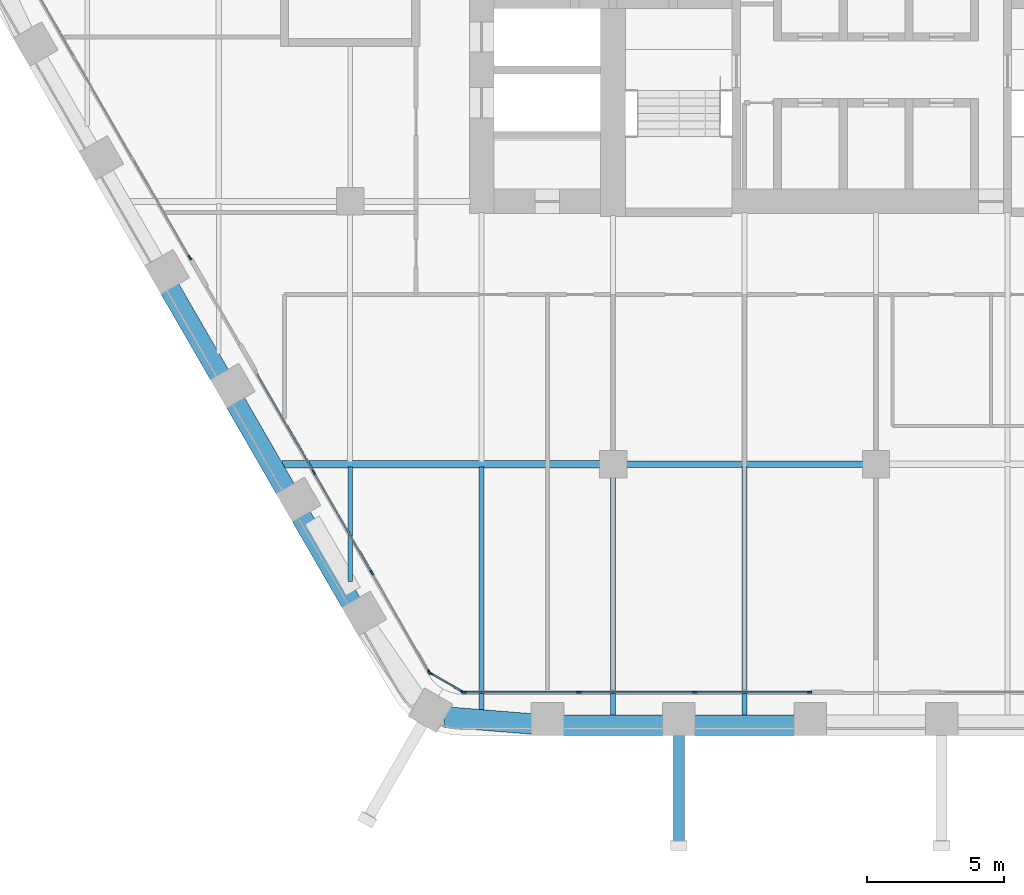
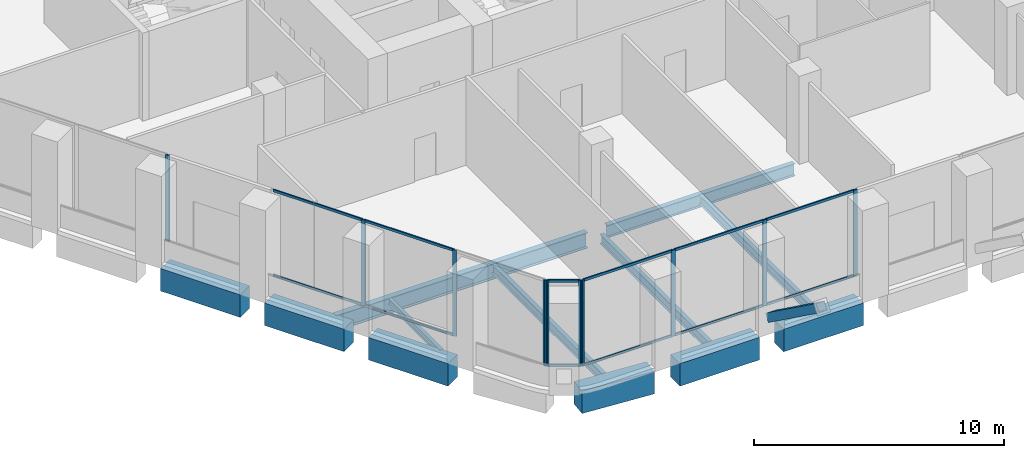
# One storey, part 2 of 24: 23 members, 12 beams, 4 elements without a shape of their own.
"""IFC4 building model written with IfcOpenShell, lengths in metres."""

import ifcopenshell
import ifcopenshell.guid

model = None  # the IFC model being written
_history = None  # IfcOwnerHistory: only IFC2X3 demands one
_inside = {}  # id of a spatial element -> (the spatial element, [elements in it])
_under = {}  # id of a project, library or spatial element -> (it, [spatial elements below it])
_declared = {}  # id of a project -> (the project, [libraries it declares])
_typed = {}  # id of a type object -> (the type object, [elements of that type])
_made_of = {}  # id of a material, layer set ... -> (it, [elements and type objects made of it])


def new_model(schema):
    """Start an empty IFC model of exactly this schema.

    Asked for "IFC4X3", IfcOpenShell would pick the latest addendum, in which some entities
    have other attributes; the version numbers below select the first issue.
    IFC2X3 requires an IfcOwnerHistory on every rooted entity: one is made here for all.
    """
    global model, _history
    if schema == "IFC4X3":
        model = ifcopenshell.file(schema_version=(4, 3, 0, 0))
    else:
        model = ifcopenshell.file(schema=schema)
    _inside.clear()
    _under.clear()
    _declared.clear()
    _typed.clear()
    _made_of.clear()
    _history = None
    if model.schema == "IFC2X3":
        org = make("IfcOrganization", Name="unknown")
        user = make(
            "IfcPersonAndOrganization",
            ThePerson=make("IfcPerson", FamilyName="unknown"),
            TheOrganization=org,
        )
        app = make(
            "IfcApplication",
            ApplicationDeveloper=org,
            Version="unknown",
            ApplicationFullName="unknown",
            ApplicationIdentifier="unknown",
        )
        _history = make(
            "IfcOwnerHistory",
            OwningUser=user,
            OwningApplication=app,
            ChangeAction="ADDED",
            CreationDate=0,
        )
    return model


def make(cls, **values):
    """One entity of the class cls with the attributes given. An attribute that is None is left unset."""
    return model.create_entity(
        cls, **{name: value for name, value in values.items() if value is not None}
    )


def rooted(cls, **values):
    """An entity with a GlobalId (a new one), such as an element, a storey or a relation."""
    return make(cls, GlobalId=ifcopenshell.guid.new(), OwnerHistory=_history, **values)


def si_unit(unit_type, name, prefix=None):
    """IfcSIUnit, for example si_unit("LENGTHUNIT", "METRE", prefix="MILLI")."""
    return make("IfcSIUnit", UnitType=unit_type, Prefix=prefix, Name=name)


def assignment(units):
    """IfcUnitAssignment: the units of a project."""
    return None if units is None else make("IfcUnitAssignment", Units=units)


def point(xyz):
    """IfcCartesianPoint."""
    return None if xyz is None else make("IfcCartesianPoint", Coordinates=xyz)


def direction(xyz):
    """IfcDirection."""
    return None if xyz is None else make("IfcDirection", DirectionRatios=xyz)


def frame(location, z_axis=None, x_axis=None):
    """IfcAxis2Placement3D, a coordinate frame: its origin and axes. An axis left out is left unset."""
    return make(
        "IfcAxis2Placement3D",
        Location=point(location),
        Axis=direction(z_axis),
        RefDirection=direction(x_axis),
    )


def frame_2d(location, x_axis=None):
    """IfcAxis2Placement2D, a coordinate frame in the plane: its origin and x axis."""
    return make(
        "IfcAxis2Placement2D", Location=point(location), RefDirection=direction(x_axis)
    )


def origin():
    """The frame at (0, 0, 0) with its axes left unset."""
    return frame((0.0, 0.0, 0.0))


def origin_2d():
    """The frame at (0, 0) in the plane with its x axis left unset."""
    return frame_2d((0.0, 0.0))


def place(relative_to, where):
    """IfcLocalPlacement: puts the frame where relative to a parent placement (None: the world)."""
    return make(
        "IfcLocalPlacement", PlacementRelTo=relative_to, RelativePlacement=where
    )


def context(
    kind, dimensions, precision=None, world=None, true_north=None, identifier=None
):
    """IfcGeometricRepresentationContext, for example the 3D "Model" context."""
    return make(
        "IfcGeometricRepresentationContext",
        ContextIdentifier=identifier,
        ContextType=kind,
        CoordinateSpaceDimension=dimensions,
        Precision=precision,
        WorldCoordinateSystem=world,
        TrueNorth=true_north,
    )


def subcontext(parent, identifier, kind, view, scale=None):
    """IfcGeometricRepresentationSubContext, for example "Body" below "Model"."""
    return make(
        "IfcGeometricRepresentationSubContext",
        ContextIdentifier=identifier,
        ContextType=kind,
        ParentContext=parent,
        TargetScale=scale,
        TargetView=view,
    )


def project(units=None, contexts=None):
    """IfcProject with its units and contexts."""
    return rooted(
        "IfcProject",
        Name="project",
        RepresentationContexts=contexts,
        UnitsInContext=assignment(units),
    )


def spatial(cls, under=None, at=None, **own):
    """A site, building, storey or space (cls), placed at a placement, below another one or the project."""
    s = rooted(cls, ObjectPlacement=at, **own)
    if under is not None:
        _under.setdefault(under.id(), (under, []))[1].append(s)
    return s


def profile(cls, at=None, kind="AREA", **sizes):
    """A parametric profile (cls). Its sizes go by their IFC names, for example OverallWidth=200.0."""
    return make(cls, ProfileType=kind, Position=at, **sizes)


def rectangle(**sizes):
    """IfcRectangleProfileDef."""
    return profile("IfcRectangleProfileDef", **sizes)


def hollow_rectangle(**sizes):
    """IfcRectangleHollowProfileDef."""
    return profile("IfcRectangleHollowProfileDef", **sizes)


def i_section(**sizes):
    """IfcIShapeProfileDef."""
    return profile("IfcIShapeProfileDef", **sizes)


def extrude(swept, where, along, depth):
    """IfcExtrudedAreaSolid: the profile swept, set in the frame where, extruded along a direction by depth."""
    return make(
        "IfcExtrudedAreaSolid",
        SweptArea=swept,
        Position=where,
        ExtrudedDirection=direction(along),
        Depth=depth,
    )


def shape(context_of_items, identifier, shape_type, items):
    """IfcShapeRepresentation: the items that make up one representation, for example the "Body"."""
    return make(
        "IfcShapeRepresentation",
        ContextOfItems=context_of_items,
        RepresentationIdentifier=identifier,
        RepresentationType=shape_type,
        Items=items,
    )


def material(Name=None, Category=None):
    """IfcMaterial."""
    return make("IfcMaterial", Name=Name, Category=Category)


def material_profile(
    of_material, cross_section, Name=None, Category=None, Priority=None
):
    """IfcMaterialProfile: a cross section and its material."""
    return make(
        "IfcMaterialProfile",
        Name=Name,
        Material=of_material,
        Profile=cross_section,
        Priority=Priority,
        Category=Category,
    )


def profile_set(profiles, Name=None, composite=None):
    """IfcMaterialProfileSet."""
    return make(
        "IfcMaterialProfileSet",
        Name=Name,
        MaterialProfiles=profiles,
        CompositeProfile=composite,
    )


def made_of(thing, what):
    """Note that an element or type object is made of a material, layer set ...; save() writes the relation."""
    if what is not None:
        _made_of.setdefault(what.id(), (what, []))[1].append(thing)
    return thing


def type_object(cls, material=None, **own):
    """A type object (cls), such as IfcWallType, which elements share."""
    return made_of(rooted(cls, **own), material)


def element(
    cls,
    number,
    at=None,
    inside=None,
    cuts=None,
    type_object=None,
    material=None,
    context=None,
    identifier="Body",
    shape_type=None,
    held_by="IfcProductDefinitionShape",
    body=None,
    shapes=None,
    **own,
):
    """One element of the class cls, such as IfcWall. Its Tag is "e" and its number.

    at: its placement. inside: the storey or other place that contains it. cuts: it is an
    opening in that element (IfcRelVoidsElement). A single representation is given by context,
    identifier, shape_type and body (its items); several are given by shapes. held_by: the class
    of the entity that holds the representations. save() writes the other relations.
    """
    e = rooted(cls, Tag="e%d" % number, ObjectPlacement=at, **own)
    if body is not None:
        shapes = [shape(context, identifier, shape_type, body)]
    if shapes is not None:
        e.Representation = make(held_by, Representations=shapes)
    if inside is not None:
        _inside.setdefault(inside.id(), (inside, []))[1].append(e)
    if cuts is not None:
        rooted(
            "IfcRelVoidsElement", RelatingBuildingElement=cuts, RelatedOpeningElement=e
        )
    if type_object is not None:
        _typed.setdefault(type_object.id(), (type_object, []))[1].append(e)
    return made_of(e, material)


def aggregate(whole, parts):
    """IfcRelAggregates: a whole, such as a stair, and the parts it consists of."""
    return rooted("IfcRelAggregates", RelatingObject=whole, RelatedObjects=parts)


def save(model, path):
    """Write the relations noted so far, then the file.

    IfcRelAggregates (storeys below a building ...), IfcRelContainedInSpatialStructure (elements
    in a storey), IfcRelDefinesByType, IfcRelAssociatesMaterial and IfcRelDeclares: one each for
    every whole, place, type object, material and project.
    """
    for whole, parts in _under.values():
        aggregate(whole, parts)
    for where, things in _inside.values():
        rooted(
            "IfcRelContainedInSpatialStructure",
            RelatedElements=things,
            RelatingStructure=where,
        )
    for kind, things in _typed.values():
        rooted("IfcRelDefinesByType", RelatedObjects=things, RelatingType=kind)
    for what, things in _made_of.values():
        rooted("IfcRelAssociatesMaterial", RelatedObjects=things, RelatingMaterial=what)
    for by, libraries in _declared.values():
        rooted("IfcRelDeclares", RelatingContext=by, RelatedDefinitions=libraries)
    model.write(path)


model = new_model("IFC4")

# Units and contexts
model_context = context("Model", 3, precision=1e-05, world=origin(), true_north=direction((0.0, 1.0)))
body_context = subcontext(model_context, "Body", "Model", "MODEL_VIEW")
ifc_project = project(units=[si_unit("LENGTHUNIT", "METRE"), si_unit("AREAUNIT", "SQUARE_METRE"), si_unit("VOLUMEUNIT", "CUBIC_METRE"), si_unit("PLANEANGLEUNIT", "RADIAN"), si_unit("MASSUNIT", "GRAM", prefix="KILO")], contexts=[model_context])

# Site, building, storey
site_placement = place(None, origin())
site = spatial("IfcSite", under=ifc_project, at=site_placement, CompositionType="ELEMENT")
building_placement = place(site_placement, origin())
building = spatial("IfcBuilding", under=site, at=building_placement, Name="Kolab Exchange Tower", CompositionType="ELEMENT")
storey_placement = place(building_placement, frame((0.0, 0.0, 86.89990234375)))
storey = spatial("IfcBuildingStorey", under=building, at=storey_placement, Name="L16", CompositionType="ELEMENT", Elevation=86.89990234375)

# Beams
ifc_material_1 = material(Name="Steel S355", Category="steel")
ifc_material_profile_1 = material_profile(ifc_material_1, i_section(OverallWidth=0.1650390625, OverallDepth=0.31005859375, WebThickness=0.005859375, FlangeThickness=0.009765625, at=origin_2d()), Name="W310X39")
ifc_profile_set_1 = profile_set([ifc_material_profile_1], Name="Steel S355")
beam_type_1 = type_object("IfcBeamType", Name="FLOOR BEAM W310X39", PredefinedType="BEAM", material=ifc_profile_set_1)
beam_1_placement = place(storey_placement, frame((-19.199951171875, -23.4814453125, -0.35498046875), z_axis=(0.0, 1.0, 0.0), x_axis=(-1.0, 0.0, 0.0)))
element("IfcBeam", 1, at=beam_1_placement, inside=storey, type_object=beam_type_1, Name="beam/L16/fr/006", PredefinedType="BEAM", context=body_context, shape_type="SweptSolid", body=[
    extrude(i_section(OverallWidth=0.1650390625, OverallDepth=0.31005859375, WebThickness=0.005859375, FlangeThickness=0.009765625, at=origin_2d()), origin(), (0.0, 0.0, 1.0), 4.18798828125),
])
ifc_material_profile_2 = material_profile(ifc_material_1, i_section(OverallWidth=0.18994140625, OverallDepth=0.45703125, WebThickness=0.009033203125, FlangeThickness=0.014404296875, at=origin_2d()), Name="W460X74")
ifc_profile_set_2 = profile_set([ifc_material_profile_2], Name="Steel S355")
beam_type_2 = type_object("IfcBeamType", Name="FLOOR BEAM W460X74", PredefinedType="BEAM", material=ifc_profile_set_2)
beam_2_placement = place(storey_placement, frame((-14.39990234375, -28.194580078125, -0.428466796875), z_axis=(0.0, 1.0, 0.0), x_axis=(-1.0, 0.0, 0.0)))
element("IfcBeam", 2, at=beam_2_placement, inside=storey, type_object=beam_type_2, Name="beam/L16/fr/012", PredefinedType="BEAM", context=body_context, shape_type="SweptSolid", body=[
    extrude(i_section(OverallWidth=0.18994140625, OverallDepth=0.45703125, WebThickness=0.009033203125, FlangeThickness=0.014404296875, at=origin_2d()), origin(), (0.0, 0.0, 1.0), 8.901123046875),
])
beam_3_placement = place(storey_placement, frame((-9.60009765625, -28.388427734375, -0.428466796875), z_axis=(0.0, 1.0, 0.0), x_axis=(-1.0, 0.0, 0.0)))
element("IfcBeam", 3, at=beam_3_placement, inside=storey, type_object=beam_type_2, Name="beam/L16/fr/016", PredefinedType="BEAM", context=body_context, shape_type="SweptSolid", body=[
    extrude(i_section(OverallWidth=0.18994140625, OverallDepth=0.45703125, WebThickness=0.009033203125, FlangeThickness=0.014404296875, at=origin_2d()), origin(), (0.0, 0.0, 1.0), 8.728515625),
])
beam_4_placement = place(storey_placement, frame((-4.800048828125, -28.388427734375, -0.428466796875), z_axis=(0.0, 1.0, 0.0), x_axis=(-1.0, 0.0, 0.0)))
element("IfcBeam", 4, at=beam_4_placement, inside=storey, type_object=beam_type_2, Name="beam/L16/fr/020", PredefinedType="BEAM", context=body_context, shape_type="SweptSolid", body=[
    extrude(i_section(OverallWidth=0.18994140625, OverallDepth=0.45703125, WebThickness=0.009033203125, FlangeThickness=0.014404296875, at=origin_2d()), origin(), (0.0, 0.0, 1.0), 9.114501953125),
])
ifc_material_profile_3 = material_profile(ifc_material_1, i_section(OverallWidth=0.22802734375, OverallDepth=0.60791015625, WebThickness=0.01123046875, FlangeThickness=0.017333984375, at=origin_2d()), Name="W610X113")
ifc_profile_set_3 = profile_set([ifc_material_profile_3], Name="Steel S355")
beam_type_3 = type_object("IfcBeamType", Name="FLOOR GIRDER W610X113", PredefinedType="BEAM", material=ifc_profile_set_3)
beam_5_placement = place(storey_placement, frame((-9.139892578125, -19.199951171875, -0.50390625), z_axis=(1.0, 0.0, 0.0), x_axis=(0.0, 1.0, 0.0)))
element("IfcBeam", 5, at=beam_5_placement, inside=storey, type_object=beam_type_3, Name="beam/L16/gd/008", PredefinedType="BEAM", context=body_context, shape_type="SweptSolid", body=[
    extrude(i_section(OverallWidth=0.22802734375, OverallDepth=0.60791015625, WebThickness=0.01123046875, FlangeThickness=0.017333984375, at=origin_2d()), origin(), (0.0, 0.0, 1.0), 8.679931640625),
])
ifc_material_profile_4 = material_profile(ifc_material_1, i_section(OverallWidth=0.26708984375, OverallDepth=0.761962890625, WebThickness=0.014404296875, FlangeThickness=0.021484375, at=origin_2d()), Name="W760X173")
ifc_profile_set_4 = profile_set([ifc_material_profile_4], Name="Steel S355")
beam_type_4 = type_object("IfcBeamType", Name="FLOOR GIRDER W760X173", PredefinedType="BEAM", material=ifc_profile_set_4)
beam_6_placement = place(storey_placement, frame((-21.688720703125, -19.199951171875, -0.580810546875), z_axis=(1.0, 0.0, 0.0), x_axis=(0.0, 1.0, 0.0)))
element("IfcBeam", 6, at=beam_6_placement, inside=storey, type_object=beam_type_4, Name="beam/L16/gd/003", PredefinedType="BEAM", context=body_context, shape_type="SweptSolid", body=[
    extrude(i_section(OverallWidth=0.26708984375, OverallDepth=0.761962890625, WebThickness=0.014404296875, FlangeThickness=0.021484375, at=origin_2d()), origin(), (0.0, 0.0, 1.0), 11.628662109375),
])

# Member
ifc_material_profile_5 = material_profile(ifc_material_1, hollow_rectangle(XDim=0.39990234375, YDim=0.39990234375, WallThickness=0.02001953125, at=origin_2d()), Name="HSS400X400X20")
ifc_profile_set_5 = profile_set([ifc_material_profile_5], Name="Steel S355")
member_type_1 = type_object("IfcMemberType", Name="LEDGE STRUT HSS400X400X20", PredefinedType="STRUT", material=ifc_profile_set_5)
member_1_placement = place(storey_placement, frame((-7.199951171875, -29.05859375, 0.60009765625), z_axis=(0.0, -0.810646931153, 0.585535270511), x_axis=(1.0, 0.0, 0.0)))
element("IfcMember", 7, at=member_1_placement, inside=storey, type_object=member_type_1, Name="mem/L16/ledge/strut-7", PredefinedType="STRUT", context=body_context, shape_type="SweptSolid", body=[
    extrude(hollow_rectangle(XDim=0.39990234375, YDim=0.39990234375, WallThickness=0.02001953125, at=origin_2d()), origin(), (0.0, 0.0, 1.0), 4.9833984375),
])

# Beams
ifc_material_2 = material(Name="Concrete C70/85", Category="concrete")
ifc_material_profile_6 = material_profile(ifc_material_2, rectangle(XDim=0.75, YDim=1.10009765625, at=origin_2d()), Name="RC750X1100")
ifc_profile_set_6 = profile_set([ifc_material_profile_6], Name="Concrete C70/85")
beam_type_5 = type_object("IfcBeamType", Name="SPANDREL BEAM 750X1100 C70/85", PredefinedType="BEAM", material=ifc_profile_set_6)
for number, where, z_axis, x_axis, name in (
    (8, (-2.9599609375, -28.723388671875, -0.75), (-1.0, 0.0, 0.0), (0.0, -1.0, 0.0), "beam/L16/sp/F4-05"),
    (9, (-7.760009765625, -28.723388671875, -0.75), (-1.0, 0.0, 0.0), (0.0, -1.0, 0.0), "beam/L16/sp/F4-06"),
):
    element("IfcBeam", number, at=place(storey_placement, frame(where, z_axis=z_axis, x_axis=x_axis)), inside=storey, type_object=beam_type_5, Name=name, PredefinedType="BEAM", context=body_context, shape_type="SweptSolid", body=[
        extrude(rectangle(XDim=0.75, YDim=1.10009765625, at=origin_2d()), origin(), (0.0, 0.0, 1.0), 3.679931640625),
    ])
beam_7_placement = place(storey_placement, frame((-12.56005859375, -28.678466796875, -0.75), z_axis=(-0.996791038408, 0.080047646748, 0.0), x_axis=(-0.080047646748, -0.996791038408, 0.0)))
element("IfcBeam", 10, at=beam_7_placement, inside=storey, type_object=beam_type_5, Name="beam/L16/sp/F4-07", PredefinedType="BEAM", context=body_context, shape_type="SweptSolid", body=[
    extrude(rectangle(XDim=0.75, YDim=1.10009765625, at=origin_2d()), origin(), (0.0, 0.0, 1.0), 3.20849609375),
])
for number, where, z_axis, x_axis, name in (
    (11, (-19.1552734375, -24.26904296875, -0.75), (-0.500013413428, 0.866017659399, 0.0), (-0.866017659399, -0.500013413428, 0.0), "beam/L16/sp/F5-02"),
    (12, (-21.55517578125, -20.112060546875, -0.75), (-0.500013413428, 0.866017659399, 0.0), (-0.866017659399, -0.500013413428, 0.0), "beam/L16/sp/F5-03"),
):
    element("IfcBeam", number, at=place(storey_placement, frame(where, z_axis=z_axis, x_axis=x_axis)), inside=storey, type_object=beam_type_5, Name=name, PredefinedType="BEAM", context=body_context, shape_type="SweptSolid", body=[
        extrude(rectangle(XDim=0.75, YDim=1.10009765625, at=origin_2d()), origin(), (0.0, 0.0, 1.0), 3.68017578125),
    ])
beam_8_placement = place(storey_placement, frame((-23.955322265625, -15.955322265625, -0.75), z_axis=(-0.499963655964, 0.866046386007, 0.0), x_axis=(-0.866046386007, -0.499963655964, 0.0)))
element("IfcBeam", 13, at=beam_8_placement, inside=storey, type_object=beam_type_5, Name="beam/L16/sp/F5-04", PredefinedType="BEAM", context=body_context, shape_type="SweptSolid", body=[
    extrude(rectangle(XDim=0.75, YDim=1.10009765625, at=origin_2d()), origin(), (0.0, 0.0, 1.0), 3.679931640625),
])

# Curtain wall, members
ifc_material_3 = material(Name="Aluminium EN AW-6063 T6", Category="aluminium")
curtain_wall_type = type_object("IfcCurtainWallType", Name="UNITISED LOWER MID ZONE CURTAIN WALL", PredefinedType="NOTDEFINED", material=ifc_material_3)
curtain_wall_1_placement = place(storey_placement, origin())
curtain_wall_1 = element("IfcCurtainWall", 14, at=curtain_wall_1_placement, inside=storey, type_object=curtain_wall_type, Name="cw/L16/F4-2", PredefinedType="NOTDEFINED")
ifc_material_profile_7 = material_profile(ifc_material_3, rectangle(XDim=0.06005859375, YDim=0.179931640625, at=origin_2d()), Name="RECT 60X180")
ifc_profile_set_7 = profile_set([ifc_material_profile_7], Name="Aluminium EN AW-6063 T6")
member_type_2 = type_object("IfcMemberType", Name="UNITISED LOWER MID ZONE MULLION 60 X 180", PredefinedType="MULLION", material=ifc_profile_set_7)
member_2_placement = place(storey_placement, frame((-2.429931640625, -27.5185546875, 0.0), z_axis=(0.0, 0.0, 1.0), x_axis=(0.0, -1.0, 0.0)))
member_2 = element("IfcMember", 15, at=member_2_placement, type_object=member_type_2, Name="CW2 mullion 1", PredefinedType="MULLION", context=body_context, shape_type="SweptSolid", body=[
    extrude(rectangle(XDim=0.06005859375, YDim=0.179931640625, at=origin_2d()), origin(), (0.0, 0.0, 1.0), 4.2001953125),
])
member_3_placement = place(storey_placement, frame((-6.62255859375, -27.5185546875, 0.0), z_axis=(0.0, 0.0, 1.0), x_axis=(0.0, -1.0, 0.0)))
member_3 = element("IfcMember", 16, at=member_3_placement, type_object=member_type_2, Name="CW2 mullion 2", PredefinedType="MULLION", context=body_context, shape_type="SweptSolid", body=[
    extrude(rectangle(XDim=0.06005859375, YDim=0.179931640625, at=origin_2d()), origin(), (0.0, 0.0, 1.0), 4.2001953125),
])
member_4_placement = place(storey_placement, frame((-10.84521484375, -27.5185546875, 0.0), z_axis=(0.0, 0.0, 1.0), x_axis=(0.0, -1.0, 0.0)))
member_4 = element("IfcMember", 17, at=member_4_placement, type_object=member_type_2, Name="CW2 mullion 3", PredefinedType="MULLION", context=body_context, shape_type="SweptSolid", body=[
    extrude(rectangle(XDim=0.06005859375, YDim=0.179931640625, at=origin_2d()), origin(), (0.0, 0.0, 1.0), 4.2001953125),
])
member_5_placement = place(storey_placement, frame((-15.037841796875, -27.5185546875, 0.0), z_axis=(0.0, 0.0, 1.0), x_axis=(0.0, -1.0, 0.0)))
member_5 = element("IfcMember", 18, at=member_5_placement, type_object=member_type_2, Name="CW2 mullion 4", PredefinedType="MULLION", context=body_context, shape_type="SweptSolid", body=[
    extrude(rectangle(XDim=0.06005859375, YDim=0.179931640625, at=origin_2d()), origin(), (0.0, 0.0, 1.0), 4.2001953125),
])

curtain_wall_2_placement = place(storey_placement, origin())
curtain_wall_2 = element("IfcCurtainWall", 19, at=curtain_wall_2_placement, inside=storey, type_object=curtain_wall_type, Name="cw/L16/F5-1", PredefinedType="NOTDEFINED")
member_6_placement = place(storey_placement, frame((-16.312744140625, -26.782470703125, 0.0), z_axis=(0.0, 0.0, 1.0), x_axis=(-0.866025393644, -0.500000017564, 0.0)))
member_6 = element("IfcMember", 20, at=member_6_placement, type_object=member_type_2, Name="CW2 mullion 1", PredefinedType="MULLION", context=body_context, shape_type="SweptSolid", body=[
    extrude(rectangle(XDim=0.06005859375, YDim=0.179931640625, at=origin_2d()), origin(), (0.0, 0.0, 1.0), 4.2001953125),
])
member_7_placement = place(storey_placement, frame((-18.408935546875, -23.151611328125, 0.0), z_axis=(0.0, 0.0, 1.0), x_axis=(-0.866025393644, -0.500000017564, 0.0)))
member_7 = element("IfcMember", 21, at=member_7_placement, type_object=member_type_2, Name="CW2 mullion 2", PredefinedType="MULLION", context=body_context, shape_type="SweptSolid", body=[
    extrude(rectangle(XDim=0.06005859375, YDim=0.179931640625, at=origin_2d()), origin(), (0.0, 0.0, 1.0), 4.2001953125),
])
member_8_placement = place(storey_placement, frame((-20.520263671875, -19.49462890625, 0.0), z_axis=(0.0, 0.0, 1.0), x_axis=(-0.866025393644, -0.500000017564, 0.0)))
member_8 = element("IfcMember", 22, at=member_8_placement, type_object=member_type_2, Name="CW2 mullion 3", PredefinedType="MULLION", context=body_context, shape_type="SweptSolid", body=[
    extrude(rectangle(XDim=0.06005859375, YDim=0.179931640625, at=origin_2d()), origin(), (0.0, 0.0, 1.0), 4.2001953125),
])

# Curtain wall, member
curtain_wall_3_placement = place(storey_placement, origin())
curtain_wall_3 = element("IfcCurtainWall", 23, at=curtain_wall_3_placement, inside=storey, type_object=curtain_wall_type, Name="cw/L16/F5-2", PredefinedType="NOTDEFINED")
member_9_placement = place(storey_placement, frame((-25.046630859375, -11.65478515625, 0.0), z_axis=(0.0, 0.0, 1.0), x_axis=(-0.866025427826, -0.499999958358, 0.0)))
member_9 = element("IfcMember", 24, at=member_9_placement, type_object=member_type_2, Name="CW2 mullion 1", PredefinedType="MULLION", context=body_context, shape_type="SweptSolid", body=[
    extrude(rectangle(XDim=0.06005859375, YDim=0.179931640625, at=origin_2d()), origin(), (0.0, 0.0, 1.0), 4.2001953125),
])
aggregate(curtain_wall_3, [member_9])

# Curtain wall, members
curtain_wall_4_placement = place(storey_placement, origin())
curtain_wall_4 = element("IfcCurtainWall", 25, at=curtain_wall_4_placement, inside=storey, type_object=curtain_wall_type, Name="cw/L16/F4F5-corner", PredefinedType="NOTDEFINED")
member_10_placement = place(storey_placement, frame((-15.093994140625, -27.50341796875, 0.0), z_axis=(0.0, 0.0, 1.0), x_axis=(-0.50000002237, -0.866025390869, 0.0)))
member_10 = element("IfcMember", 26, at=member_10_placement, type_object=member_type_2, Name="CW2 mullion 1", PredefinedType="MULLION", context=body_context, shape_type="SweptSolid", body=[
    extrude(rectangle(XDim=0.06005859375, YDim=0.179931640625, at=origin_2d()), origin(), (0.0, 0.0, 1.0), 4.2001953125),
])
member_11_placement = place(storey_placement, frame((-16.271728515625, -26.823486328125, 0.0), z_axis=(0.0, 0.0, 1.0), x_axis=(-0.50000002237, -0.866025390869, 0.0)))
member_11 = element("IfcMember", 27, at=member_11_placement, type_object=member_type_2, Name="CW2 mullion 2", PredefinedType="MULLION", context=body_context, shape_type="SweptSolid", body=[
    extrude(rectangle(XDim=0.06005859375, YDim=0.179931640625, at=origin_2d()), origin(), (0.0, 0.0, 1.0), 4.2001953125),
])

# Member
ifc_material_profile_8 = material_profile(ifc_material_3, rectangle(XDim=0.06005859375, YDim=0.1201171875, at=origin_2d()), Name="RECT 60X120")
ifc_profile_set_8 = profile_set([ifc_material_profile_8], Name="Aluminium EN AW-6063 T6")
member_type_3 = type_object("IfcMemberType", Name="UNITISED LOWER MID ZONE TRANSOM 60 X 120", PredefinedType="USERDEFINED", material=ifc_profile_set_8)
member_12_placement = place(storey_placement, frame((-2.4599609375, -27.5185546875, 0.030029296875), z_axis=(-1.0, 0.0, 0.0), x_axis=(0.0, -1.0, 0.0)))
member_12 = element("IfcMember", 28, at=member_12_placement, type_object=member_type_3, Name="CW2 transom 1.1", ObjectType="TRANSOM", PredefinedType="USERDEFINED", context=body_context, shape_type="SweptSolid", body=[
    extrude(rectangle(XDim=0.06005859375, YDim=0.1201171875, at=origin_2d()), origin(), (0.0, 0.0, 1.0), 4.132568359375),
])

member_13_placement = place(storey_placement, frame((-2.4599609375, -27.5185546875, 4.170166015625), z_axis=(-1.0, 0.0, 0.0), x_axis=(0.0, -1.0, 0.0)))
member_13 = element("IfcMember", 29, at=member_13_placement, type_object=member_type_3, Name="CW2 transom 1.2", ObjectType="TRANSOM", PredefinedType="USERDEFINED", context=body_context, shape_type="SweptSolid", body=[
    extrude(rectangle(XDim=0.06005859375, YDim=0.1201171875, at=origin_2d()), origin(), (0.0, 0.0, 1.0), 4.132568359375),
])

member_14_placement = place(storey_placement, frame((-6.652587890625, -27.5185546875, 0.030029296875), z_axis=(-1.0, 0.0, 0.0), x_axis=(0.0, -1.0, 0.0)))
member_14 = element("IfcMember", 30, at=member_14_placement, type_object=member_type_3, Name="CW2 transom 2.1", ObjectType="TRANSOM", PredefinedType="USERDEFINED", context=body_context, shape_type="SweptSolid", body=[
    extrude(rectangle(XDim=0.06005859375, YDim=0.1201171875, at=origin_2d()), origin(), (0.0, 0.0, 1.0), 4.16259765625),
])

member_15_placement = place(storey_placement, frame((-6.652587890625, -27.5185546875, 4.170166015625), z_axis=(-1.0, 0.0, 0.0), x_axis=(0.0, -1.0, 0.0)))
member_15 = element("IfcMember", 31, at=member_15_placement, type_object=member_type_3, Name="CW2 transom 2.2", ObjectType="TRANSOM", PredefinedType="USERDEFINED", context=body_context, shape_type="SweptSolid", body=[
    extrude(rectangle(XDim=0.06005859375, YDim=0.1201171875, at=origin_2d()), origin(), (0.0, 0.0, 1.0), 4.16259765625),
])

member_16_placement = place(storey_placement, frame((-10.875244140625, -27.5185546875, 0.030029296875), z_axis=(-1.0, 0.0, 0.0), x_axis=(0.0, -1.0, 0.0)))
member_16 = element("IfcMember", 32, at=member_16_placement, type_object=member_type_3, Name="CW2 transom 3.1", ObjectType="TRANSOM", PredefinedType="USERDEFINED", context=body_context, shape_type="SweptSolid", body=[
    extrude(rectangle(XDim=0.06005859375, YDim=0.1201171875, at=origin_2d()), origin(), (0.0, 0.0, 1.0), 4.1328125),
])

member_17_placement = place(storey_placement, frame((-10.875244140625, -27.5185546875, 4.170166015625), z_axis=(-1.0, 0.0, 0.0), x_axis=(0.0, -1.0, 0.0)))
member_17 = element("IfcMember", 33, at=member_17_placement, type_object=member_type_3, Name="CW2 transom 3.2", ObjectType="TRANSOM", PredefinedType="USERDEFINED", context=body_context, shape_type="SweptSolid", body=[
    extrude(rectangle(XDim=0.06005859375, YDim=0.1201171875, at=origin_2d()), origin(), (0.0, 0.0, 1.0), 4.1328125),
])

aggregate(curtain_wall_1, [member_2, member_3, member_4, member_5, member_12, member_13, member_14, member_15, member_16, member_17])

member_18_placement = place(storey_placement, frame((-18.424072265625, -23.12548828125, 0.030029296875), z_axis=(-0.49999322259, 0.866029316688, 0.0), x_axis=(-0.866029316688, -0.49999322259, 0.0)))
member_18 = element("IfcMember", 34, at=member_18_placement, type_object=member_type_3, Name="CW2 transom 2.1", ObjectType="TRANSOM", PredefinedType="USERDEFINED", context=body_context, shape_type="SweptSolid", body=[
    extrude(rectangle(XDim=0.06005859375, YDim=0.1201171875, at=origin_2d()), origin(), (0.0, 0.0, 1.0), 4.16259765625),
])

member_19_placement = place(storey_placement, frame((-18.424072265625, -23.12548828125, 4.170166015625), z_axis=(-0.49999322259, 0.866029316688, 0.0), x_axis=(-0.866029316688, -0.49999322259, 0.0)))
member_19 = element("IfcMember", 35, at=member_19_placement, type_object=member_type_3, Name="CW2 transom 2.2", ObjectType="TRANSOM", PredefinedType="USERDEFINED", context=body_context, shape_type="SweptSolid", body=[
    extrude(rectangle(XDim=0.06005859375, YDim=0.1201171875, at=origin_2d()), origin(), (0.0, 0.0, 1.0), 4.16259765625),
])

member_20_placement = place(storey_placement, frame((-20.535400390625, -19.46875, 0.030029296875), z_axis=(-0.499957688808, 0.866049830784, 0.0), x_axis=(-0.866049830784, -0.499957688808, 0.0)))
member_20 = element("IfcMember", 36, at=member_20_placement, type_object=member_type_3, Name="CW2 transom 3.1", ObjectType="TRANSOM", PredefinedType="USERDEFINED", context=body_context, shape_type="SweptSolid", body=[
    extrude(rectangle(XDim=0.06005859375, YDim=0.1201171875, at=origin_2d()), origin(), (0.0, 0.0, 1.0), 4.132568359375),
])

member_21_placement = place(storey_placement, frame((-20.535400390625, -19.46875, 4.170166015625), z_axis=(-0.499957688808, 0.866049830784, 0.0), x_axis=(-0.866049830784, -0.499957688808, 0.0)))
member_21 = element("IfcMember", 37, at=member_21_placement, type_object=member_type_3, Name="CW2 transom 3.2", ObjectType="TRANSOM", PredefinedType="USERDEFINED", context=body_context, shape_type="SweptSolid", body=[
    extrude(rectangle(XDim=0.06005859375, YDim=0.1201171875, at=origin_2d()), origin(), (0.0, 0.0, 1.0), 4.132568359375),
])

aggregate(curtain_wall_2, [member_6, member_7, member_8, member_18, member_19, member_20, member_21])

member_22_placement = place(storey_placement, frame((-15.119873046875, -27.488525390625, 0.030029296875), z_axis=(-0.866004217611, 0.500036693733, 0.0), x_axis=(-0.500036693733, -0.866004217611, 0.0)))
member_22 = element("IfcMember", 38, at=member_22_placement, type_object=member_type_3, Name="CW2 transom 1.1", ObjectType="TRANSOM", PredefinedType="USERDEFINED", context=body_context, shape_type="SweptSolid", body=[
    extrude(rectangle(XDim=0.06005859375, YDim=0.1201171875, at=origin_2d()), origin(), (0.0, 0.0, 1.0), 1.30029296875),
])

member_23_placement = place(storey_placement, frame((-15.119873046875, -27.488525390625, 4.170166015625), z_axis=(-0.866004217611, 0.500036693733, 0.0), x_axis=(-0.500036693733, -0.866004217611, 0.0)))
member_23 = element("IfcMember", 39, at=member_23_placement, type_object=member_type_3, Name="CW2 transom 1.2", ObjectType="TRANSOM", PredefinedType="USERDEFINED", context=body_context, shape_type="SweptSolid", body=[
    extrude(rectangle(XDim=0.06005859375, YDim=0.1201171875, at=origin_2d()), origin(), (0.0, 0.0, 1.0), 1.30029296875),
])

aggregate(curtain_wall_4, [member_10, member_11, member_22, member_23])

save(model, "model.ifc")
